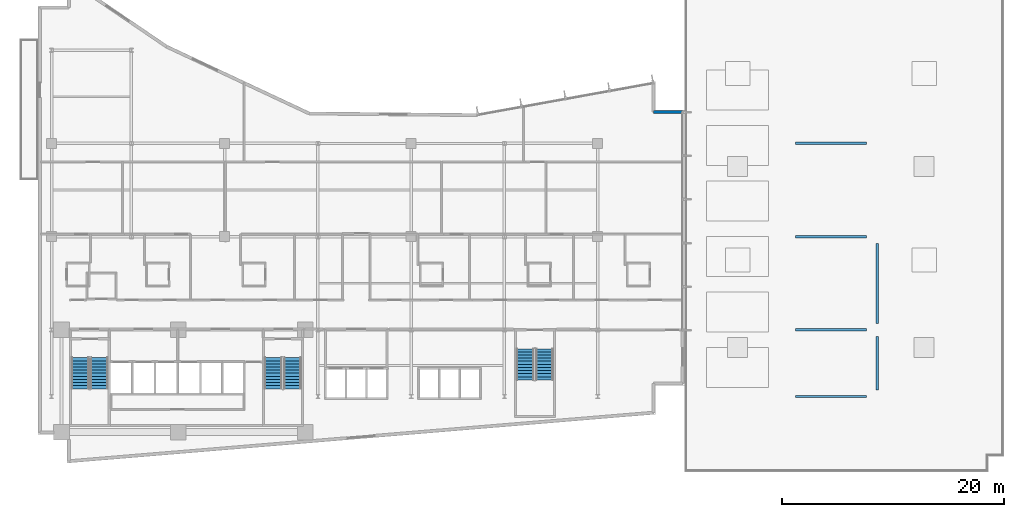
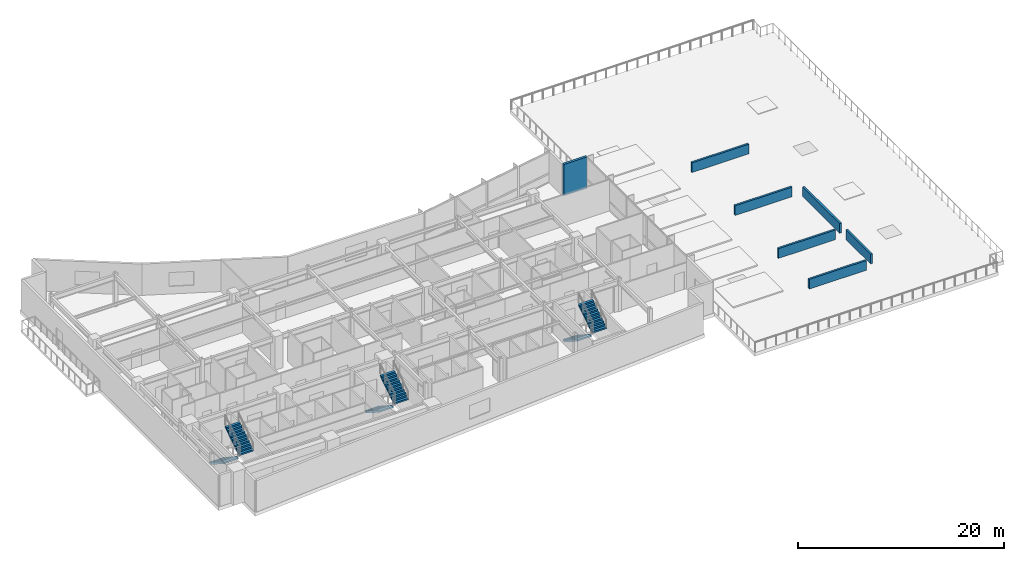
# One storey, part 14 of 20: 7 walls, 6 stair flights, 3 elements without a shape of their own.
"""IFC4 building model written with IfcOpenShell, lengths in metres."""

import ifcopenshell
import ifcopenshell.guid

model = None  # the IFC model being written
_history = None  # IfcOwnerHistory: only IFC2X3 demands one
_inside = {}  # id of a spatial element -> (the spatial element, [elements in it])
_under = {}  # id of a project, library or spatial element -> (it, [spatial elements below it])
_declared = {}  # id of a project -> (the project, [libraries it declares])
_typed = {}  # id of a type object -> (the type object, [elements of that type])
_made_of = {}  # id of a material, layer set ... -> (it, [elements and type objects made of it])


def new_model(schema):
    """Start an empty IFC model of exactly this schema.

    Asked for "IFC4X3", IfcOpenShell would pick the latest addendum, in which some entities
    have other attributes; the version numbers below select the first issue.
    IFC2X3 requires an IfcOwnerHistory on every rooted entity: one is made here for all.
    """
    global model, _history
    if schema == "IFC4X3":
        model = ifcopenshell.file(schema_version=(4, 3, 0, 0))
    else:
        model = ifcopenshell.file(schema=schema)
    _inside.clear()
    _under.clear()
    _declared.clear()
    _typed.clear()
    _made_of.clear()
    _history = None
    if model.schema == "IFC2X3":
        org = make("IfcOrganization", Name="unknown")
        user = make(
            "IfcPersonAndOrganization",
            ThePerson=make("IfcPerson", FamilyName="unknown"),
            TheOrganization=org,
        )
        app = make(
            "IfcApplication",
            ApplicationDeveloper=org,
            Version="unknown",
            ApplicationFullName="unknown",
            ApplicationIdentifier="unknown",
        )
        _history = make(
            "IfcOwnerHistory",
            OwningUser=user,
            OwningApplication=app,
            ChangeAction="ADDED",
            CreationDate=0,
        )
    return model


def make(cls, **values):
    """One entity of the class cls with the attributes given. An attribute that is None is left unset."""
    return model.create_entity(
        cls, **{name: value for name, value in values.items() if value is not None}
    )


def rooted(cls, **values):
    """An entity with a GlobalId (a new one), such as an element, a storey or a relation."""
    return make(cls, GlobalId=ifcopenshell.guid.new(), OwnerHistory=_history, **values)


def si_unit(unit_type, name, prefix=None):
    """IfcSIUnit, for example si_unit("LENGTHUNIT", "METRE", prefix="MILLI")."""
    return make("IfcSIUnit", UnitType=unit_type, Prefix=prefix, Name=name)


def assignment(units):
    """IfcUnitAssignment: the units of a project."""
    return None if units is None else make("IfcUnitAssignment", Units=units)


def point(xyz):
    """IfcCartesianPoint."""
    return None if xyz is None else make("IfcCartesianPoint", Coordinates=xyz)


def direction(xyz):
    """IfcDirection."""
    return None if xyz is None else make("IfcDirection", DirectionRatios=xyz)


def frame(location, z_axis=None, x_axis=None):
    """IfcAxis2Placement3D, a coordinate frame: its origin and axes. An axis left out is left unset."""
    return make(
        "IfcAxis2Placement3D",
        Location=point(location),
        Axis=direction(z_axis),
        RefDirection=direction(x_axis),
    )


def frame_2d(location, x_axis=None):
    """IfcAxis2Placement2D, a coordinate frame in the plane: its origin and x axis."""
    return make(
        "IfcAxis2Placement2D", Location=point(location), RefDirection=direction(x_axis)
    )


def origin():
    """The frame at (0, 0, 0) with its axes left unset."""
    return frame((0.0, 0.0, 0.0))


def place(relative_to, where):
    """IfcLocalPlacement: puts the frame where relative to a parent placement (None: the world)."""
    return make(
        "IfcLocalPlacement", PlacementRelTo=relative_to, RelativePlacement=where
    )


def context(
    kind, dimensions, precision=None, world=None, true_north=None, identifier=None
):
    """IfcGeometricRepresentationContext, for example the 3D "Model" context."""
    return make(
        "IfcGeometricRepresentationContext",
        ContextIdentifier=identifier,
        ContextType=kind,
        CoordinateSpaceDimension=dimensions,
        Precision=precision,
        WorldCoordinateSystem=world,
        TrueNorth=true_north,
    )


def subcontext(parent, identifier, kind, view, scale=None):
    """IfcGeometricRepresentationSubContext, for example "Body" below "Model"."""
    return make(
        "IfcGeometricRepresentationSubContext",
        ContextIdentifier=identifier,
        ContextType=kind,
        ParentContext=parent,
        TargetScale=scale,
        TargetView=view,
    )


def project(units=None, contexts=None):
    """IfcProject with its units and contexts."""
    return rooted(
        "IfcProject",
        Name="project",
        RepresentationContexts=contexts,
        UnitsInContext=assignment(units),
    )


def spatial(cls, under=None, at=None, **own):
    """A site, building, storey or space (cls), placed at a placement, below another one or the project."""
    s = rooted(cls, ObjectPlacement=at, **own)
    if under is not None:
        _under.setdefault(under.id(), (under, []))[1].append(s)
    return s


def polyline(points):
    """IfcPolyline through the points."""
    return make("IfcPolyline", Points=[point(p) for p in points])


def profile(cls, at=None, kind="AREA", **sizes):
    """A parametric profile (cls). Its sizes go by their IFC names, for example OverallWidth=200.0."""
    return make(cls, ProfileType=kind, Position=at, **sizes)


def rectangle(**sizes):
    """IfcRectangleProfileDef."""
    return profile("IfcRectangleProfileDef", **sizes)


def outline(outer, holes=None, kind="AREA"):
    """IfcArbitraryClosedProfileDef: a profile drawn as a closed curve; with holes, ...WithVoids."""
    if holes is None:
        return make("IfcArbitraryClosedProfileDef", ProfileType=kind, OuterCurve=outer)
    return make(
        "IfcArbitraryProfileDefWithVoids",
        ProfileType=kind,
        OuterCurve=outer,
        InnerCurves=holes,
    )


def extrude(swept, where, along, depth):
    """IfcExtrudedAreaSolid: the profile swept, set in the frame where, extruded along a direction by depth."""
    return make(
        "IfcExtrudedAreaSolid",
        SweptArea=swept,
        Position=where,
        ExtrudedDirection=direction(along),
        Depth=depth,
    )


def shape(context_of_items, identifier, shape_type, items):
    """IfcShapeRepresentation: the items that make up one representation, for example the "Body"."""
    return make(
        "IfcShapeRepresentation",
        ContextOfItems=context_of_items,
        RepresentationIdentifier=identifier,
        RepresentationType=shape_type,
        Items=items,
    )


def material(Name=None, Category=None):
    """IfcMaterial."""
    return make("IfcMaterial", Name=Name, Category=Category)


def layer(
    of_material, thickness, ventilated=None, Name=None, Category=None, Priority=None
):
    """IfcMaterialLayer: one layer of a wall or slab, of a material (None: an air gap)."""
    return make(
        "IfcMaterialLayer",
        Material=of_material,
        LayerThickness=thickness,
        IsVentilated=ventilated,
        Name=Name,
        Category=Category,
        Priority=Priority,
    )


def layer_set(layers, Name=None):
    """IfcMaterialLayerSet."""
    return make("IfcMaterialLayerSet", MaterialLayers=layers, LayerSetName=Name)


def made_of(thing, what):
    """Note that an element or type object is made of a material, layer set ...; save() writes the relation."""
    if what is not None:
        _made_of.setdefault(what.id(), (what, []))[1].append(thing)
    return thing


def type_object(cls, material=None, **own):
    """A type object (cls), such as IfcWallType, which elements share."""
    return made_of(rooted(cls, **own), material)


def element(
    cls,
    number,
    at=None,
    inside=None,
    cuts=None,
    type_object=None,
    material=None,
    context=None,
    identifier="Body",
    shape_type=None,
    held_by="IfcProductDefinitionShape",
    body=None,
    shapes=None,
    **own,
):
    """One element of the class cls, such as IfcWall. Its Tag is "e" and its number.

    at: its placement. inside: the storey or other place that contains it. cuts: it is an
    opening in that element (IfcRelVoidsElement). A single representation is given by context,
    identifier, shape_type and body (its items); several are given by shapes. held_by: the class
    of the entity that holds the representations. save() writes the other relations.
    """
    e = rooted(cls, Tag="e%d" % number, ObjectPlacement=at, **own)
    if body is not None:
        shapes = [shape(context, identifier, shape_type, body)]
    if shapes is not None:
        e.Representation = make(held_by, Representations=shapes)
    if inside is not None:
        _inside.setdefault(inside.id(), (inside, []))[1].append(e)
    if cuts is not None:
        rooted(
            "IfcRelVoidsElement", RelatingBuildingElement=cuts, RelatedOpeningElement=e
        )
    if type_object is not None:
        _typed.setdefault(type_object.id(), (type_object, []))[1].append(e)
    return made_of(e, material)


def aggregate(whole, parts):
    """IfcRelAggregates: a whole, such as a stair, and the parts it consists of."""
    return rooted("IfcRelAggregates", RelatingObject=whole, RelatedObjects=parts)


def save(model, path):
    """Write the relations noted so far, then the file.

    IfcRelAggregates (storeys below a building ...), IfcRelContainedInSpatialStructure (elements
    in a storey), IfcRelDefinesByType, IfcRelAssociatesMaterial and IfcRelDeclares: one each for
    every whole, place, type object, material and project.
    """
    for whole, parts in _under.values():
        aggregate(whole, parts)
    for where, things in _inside.values():
        rooted(
            "IfcRelContainedInSpatialStructure",
            RelatedElements=things,
            RelatingStructure=where,
        )
    for kind, things in _typed.values():
        rooted("IfcRelDefinesByType", RelatedObjects=things, RelatingType=kind)
    for what, things in _made_of.values():
        rooted("IfcRelAssociatesMaterial", RelatedObjects=things, RelatingMaterial=what)
    for by, libraries in _declared.values():
        rooted("IfcRelDeclares", RelatingContext=by, RelatedDefinitions=libraries)
    model.write(path)


model = new_model("IFC4")

# Units and contexts
model_context = context("Model", 3, precision=1e-05, world=origin(), true_north=direction((0.0, 1.0)))
body_context = subcontext(model_context, "Body", "Model", "MODEL_VIEW")
ifc_project = project(units=[si_unit("LENGTHUNIT", "METRE"), si_unit("AREAUNIT", "SQUARE_METRE"), si_unit("VOLUMEUNIT", "CUBIC_METRE"), si_unit("PLANEANGLEUNIT", "RADIAN"), si_unit("MASSUNIT", "GRAM", prefix="KILO")], contexts=[model_context])

# Site, building, storey
site_placement = place(None, origin())
site = spatial("IfcSite", under=ifc_project, at=site_placement, CompositionType="ELEMENT")
building_placement = place(site_placement, origin())
building = spatial("IfcBuilding", under=site, at=building_placement, Name="Varnakote Quay Hospital", CompositionType="ELEMENT")
storey_placement = place(building_placement, frame((0.0, 0.0, 22.5)))
storey = spatial("IfcBuildingStorey", under=building, at=storey_placement, Name="L05", CompositionType="ELEMENT", Elevation=22.5)

# Walls
ifc_material_1 = material(Name="Precast concrete N50 (f'c 50 MPa)", Category="concrete")
ifc_layer_1 = layer(ifc_material_1, 0.260009765625)
ifc_layer_set_1 = layer_set([ifc_layer_1], Name="Precast concrete N50 (f'c 50 MPa)")
wall_type_1 = type_object("IfcWallType", Name="WL-EXT-BRICK-260", PredefinedType="STANDARD", material=ifc_layer_set_1)
wall_1_placement = place(storey_placement, frame((58.0400390625, 31.639892578125, 0.0), z_axis=(0.0, 0.0, 1.0), x_axis=(-1.0, 0.0, 0.0)))
element("IfcWall", 1, at=wall_1_placement, inside=storey, type_object=wall_type_1, Name="L05 Brick-Faced Precast Exterior Wall", PredefinedType="STANDARD", context=body_context, shape_type="SweptSolid", body=[
    extrude(rectangle(XDim=2.60009765625, YDim=0.260009765625, at=frame_2d((1.300048828125, 0.0))), origin(), (0.0, 0.0, 1.0), 3.7099609375),
])
ifc_material_2 = material(Name="Precast concrete N50 (f'c 50 MPa)", Category="concrete")
ifc_layer_2 = layer(ifc_material_2, 0.219970703125)
ifc_layer_set_2 = layer_set([ifc_layer_2], Name="Precast concrete N50 (f'c 50 MPa)")
wall_type_2 = type_object("IfcWallType", Name="WL-PARAPET-220", PredefinedType="PARAPET", material=ifc_layer_set_2)
for number, where, z_axis, x_axis, name in (
    (2, (68.199951171875, 6.0, 0.0), (0.0, 0.0, 1.0), (1.0, 0.0, 0.0), "L05 Podium Setback Roof Parapet Upstand 1"),
    (3, (68.199951171875, 12.0, 0.0), (0.0, 0.0, 1.0), (1.0, 0.0, 0.0), "L05 Podium Setback Roof Parapet Upstand 2"),
    (4, (68.199951171875, 20.39990234375, 0.0), (0.0, 0.0, 1.0), (1.0, 0.0, 0.0), "L05 Podium Setback Roof Parapet Upstand 3"),
    (5, (68.199951171875, 28.800048828125, 0.0), (0.0, 0.0, 1.0), (1.0, 0.0, 0.0), "L05 Podium Setback Roof Parapet Upstand 4"),
):
    element("IfcWall", number, at=place(storey_placement, frame(where, z_axis=z_axis, x_axis=x_axis)), inside=storey, type_object=wall_type_2, Name=name, PredefinedType="PARAPET", context=body_context, shape_type="SweptSolid", body=[
        extrude(rectangle(XDim=6.400146484375, YDim=0.219970703125, at=frame_2d((3.2001953125, 0.0))), origin(), (0.0, 0.0, 1.0), 1.14990234375),
    ])
wall_2_placement = place(storey_placement, frame((75.60009765625, 6.60009765625, 0.0), z_axis=(0.0, 0.0, 1.0), x_axis=(0.0, 1.0, 0.0)))
element("IfcWall", 6, at=wall_2_placement, inside=storey, type_object=wall_type_2, Name="L05 Podium Setback Roof Parapet Upstand 5", PredefinedType="PARAPET", context=body_context, shape_type="SweptSolid", body=[
    extrude(rectangle(XDim=4.7998046875, YDim=0.219970703125, at=frame_2d((2.39990234375, 0.0))), origin(), (0.0, 0.0, 1.0), 1.14990234375),
])
wall_3_placement = place(storey_placement, frame((75.60009765625, 12.60009765625, 0.0), z_axis=(0.0, 0.0, 1.0), x_axis=(0.0, 1.0, 0.0)))
element("IfcWall", 7, at=wall_3_placement, inside=storey, type_object=wall_type_2, Name="L05 Podium Setback Roof Parapet Upstand 6", PredefinedType="PARAPET", context=body_context, shape_type="SweptSolid", body=[
    extrude(rectangle(XDim=7.199951171875, YDim=0.219970703125, at=frame_2d((3.60009765625, 0.0))), origin(), (0.0, 0.0, 1.0), 1.14990234375),
])

# Stair, stair flights
ifc_material_3 = material(Name="Concrete N40 (f'c 40 MPa)", Category="concrete")
stair_type = type_object("IfcStairType", Name="STR-CORE-1580", PredefinedType="HALF_TURN_STAIR", material=ifc_material_3)
stair_1_placement = place(storey_placement, origin())
stair_1 = element("IfcStair", 8, at=stair_1_placement, inside=storey, type_object=stair_type, Name="L05 Fire-Isolated Exit Stair ST-01", PredefinedType="HALF_TURN_STAIR")
ifc_material_4 = material(Name="Concrete N40 (f'c 40 MPa)", Category="concrete")
ifc_layer_3 = layer(ifc_material_4, 0.159912109375)
ifc_layer_set_3 = layer_set([ifc_layer_3], Name="Concrete N40 (f'c 40 MPa)")
stair_flight_type = type_object("IfcStairFlightType", Name="FLT-CORE-1580", PredefinedType="STRAIGHT", material=ifc_layer_set_3)
stair_flight_1_placement = place(storey_placement, frame((3.7900390625, 9.5, 0.0), z_axis=(0.0, 0.0, 1.0), x_axis=(0.0, -1.0, 0.0)))
stair_flight_1 = element("IfcStairFlight", 9, at=stair_flight_1_placement, type_object=stair_flight_type, Name="ST-01 flight 1", NumberOfRisers=11, NumberOfTreads=10, PredefinedType="STRAIGHT", RiserHeight=0.179545455, TreadLength=0.28, context=body_context, shape_type="SweptSolid", body=[
    extrude(outline(polyline([(0.0, 0.0), (0.0, 0.179443359375), (0.280029296875, 0.179443359375), (0.280029296875, 0.359130859375), (0.56005859375, 0.359130859375), (0.56005859375, 0.53857421875), (0.840087890625, 0.53857421875), (0.840087890625, 0.71826171875), (1.1201171875, 0.71826171875), (1.1201171875, 0.897705078125), (1.39990234375, 0.897705078125), (1.39990234375, 1.077392578125), (1.679931640625, 1.077392578125), (1.679931640625, 1.2568359375), (1.9599609375, 1.2568359375), (1.9599609375, 1.436279296875), (2.239990234375, 1.436279296875), (2.239990234375, 1.615966796875), (2.52001953125, 1.615966796875), (2.52001953125, 1.79541015625), (2.800048828125, 1.79541015625), (2.800048828125, 1.97509765625), (2.800048828125, 1.60546875), (0.296142578125, 0.0), (0.0, 0.0)])), frame((0.0, 0.7900390625, 0.0), z_axis=(0.0, -1.0, 0.0), x_axis=(1.0, 0.0, 0.0)), (0.0, 0.0, 1.0), 1.580078125),
])
stair_flight_2_placement = place(storey_placement, frame((5.510009765625, 6.699951171875, 1.97509765625), z_axis=(0.0, 0.0, 1.0), x_axis=(0.0, 1.0, 0.0)))
stair_flight_2 = element("IfcStairFlight", 10, at=stair_flight_2_placement, type_object=stair_flight_type, Name="ST-01 flight 2", NumberOfRisers=11, NumberOfTreads=10, PredefinedType="STRAIGHT", RiserHeight=0.179545455, TreadLength=0.28, context=body_context, shape_type="SweptSolid", body=[
    extrude(outline(polyline([(0.0, 0.0), (0.0, 0.179443359375), (0.280029296875, 0.179443359375), (0.280029296875, 0.359130859375), (0.56005859375, 0.359130859375), (0.56005859375, 0.53857421875), (0.840087890625, 0.53857421875), (0.840087890625, 0.71826171875), (1.1201171875, 0.71826171875), (1.1201171875, 0.897705078125), (1.39990234375, 0.897705078125), (1.39990234375, 1.077392578125), (1.679931640625, 1.077392578125), (1.679931640625, 1.2568359375), (1.9599609375, 1.2568359375), (1.9599609375, 1.436279296875), (2.239990234375, 1.436279296875), (2.239990234375, 1.615966796875), (2.52001953125, 1.615966796875), (2.52001953125, 1.79541015625), (2.800048828125, 1.79541015625), (2.800048828125, 1.97509765625), (2.800048828125, 1.60546875), (0.296142578125, 0.0), (0.0, 0.0)])), frame((0.0, 0.7900390625, 0.0), z_axis=(0.0, -1.0, 0.0), x_axis=(1.0, 0.0, 0.0)), (0.0, 0.0, 1.0), 1.580078125),
])
aggregate(stair_1, [stair_flight_1, stair_flight_2])

stair_2_placement = place(storey_placement, origin())
stair_2 = element("IfcStair", 11, at=stair_2_placement, inside=storey, type_object=stair_type, Name="L05 Fire-Isolated Exit Stair ST-02", PredefinedType="HALF_TURN_STAIR")
stair_flight_3_placement = place(storey_placement, frame((21.18994140625, 9.5, 0.0), z_axis=(0.0, 0.0, 1.0), x_axis=(0.0, -1.0, 0.0)))
stair_flight_3 = element("IfcStairFlight", 12, at=stair_flight_3_placement, type_object=stair_flight_type, Name="ST-02 flight 1", NumberOfRisers=11, NumberOfTreads=10, PredefinedType="STRAIGHT", RiserHeight=0.179545455, TreadLength=0.28, context=body_context, shape_type="SweptSolid", body=[
    extrude(outline(polyline([(0.0, 0.0), (0.0, 0.179443359375), (0.280029296875, 0.179443359375), (0.280029296875, 0.359130859375), (0.56005859375, 0.359130859375), (0.56005859375, 0.53857421875), (0.840087890625, 0.53857421875), (0.840087890625, 0.71826171875), (1.1201171875, 0.71826171875), (1.1201171875, 0.897705078125), (1.39990234375, 0.897705078125), (1.39990234375, 1.077392578125), (1.679931640625, 1.077392578125), (1.679931640625, 1.2568359375), (1.9599609375, 1.2568359375), (1.9599609375, 1.436279296875), (2.239990234375, 1.436279296875), (2.239990234375, 1.615966796875), (2.52001953125, 1.615966796875), (2.52001953125, 1.79541015625), (2.800048828125, 1.79541015625), (2.800048828125, 1.97509765625), (2.800048828125, 1.60546875), (0.296142578125, 0.0), (0.0, 0.0)])), frame((0.0, 0.7900390625, 0.0), z_axis=(0.0, -1.0, 0.0), x_axis=(1.0, 0.0, 0.0)), (0.0, 0.0, 1.0), 1.580078125),
])
stair_flight_4_placement = place(storey_placement, frame((22.909912109375, 6.699951171875, 1.97509765625), z_axis=(0.0, 0.0, 1.0), x_axis=(0.0, 1.0, 0.0)))
stair_flight_4 = element("IfcStairFlight", 13, at=stair_flight_4_placement, type_object=stair_flight_type, Name="ST-02 flight 2", NumberOfRisers=11, NumberOfTreads=10, PredefinedType="STRAIGHT", RiserHeight=0.179545455, TreadLength=0.28, context=body_context, shape_type="SweptSolid", body=[
    extrude(outline(polyline([(0.0, 0.0), (0.0, 0.179443359375), (0.280029296875, 0.179443359375), (0.280029296875, 0.359130859375), (0.56005859375, 0.359130859375), (0.56005859375, 0.53857421875), (0.840087890625, 0.53857421875), (0.840087890625, 0.71826171875), (1.1201171875, 0.71826171875), (1.1201171875, 0.897705078125), (1.39990234375, 0.897705078125), (1.39990234375, 1.077392578125), (1.679931640625, 1.077392578125), (1.679931640625, 1.2568359375), (1.9599609375, 1.2568359375), (1.9599609375, 1.436279296875), (2.239990234375, 1.436279296875), (2.239990234375, 1.615966796875), (2.52001953125, 1.615966796875), (2.52001953125, 1.79541015625), (2.800048828125, 1.79541015625), (2.800048828125, 1.97509765625), (2.800048828125, 1.60546875), (0.296142578125, 0.0), (0.0, 0.0)])), frame((0.0, 0.7900390625, 0.0), z_axis=(0.0, -1.0, 0.0), x_axis=(1.0, 0.0, 0.0)), (0.0, 0.0, 1.0), 1.580078125),
])
aggregate(stair_2, [stair_flight_3, stair_flight_4])

stair_3_placement = place(storey_placement, origin())
stair_3 = element("IfcStair", 14, at=stair_3_placement, inside=storey, type_object=stair_type, Name="L05 Fire-Isolated Exit Stair ST-03", PredefinedType="HALF_TURN_STAIR")
stair_flight_5_placement = place(storey_placement, frame((43.889892578125, 10.300048828125, 0.0), z_axis=(0.0, 0.0, 1.0), x_axis=(0.0, -1.0, 0.0)))
stair_flight_5 = element("IfcStairFlight", 15, at=stair_flight_5_placement, type_object=stair_flight_type, Name="ST-03 flight 1", NumberOfRisers=11, NumberOfTreads=10, PredefinedType="STRAIGHT", RiserHeight=0.179545455, TreadLength=0.28, context=body_context, shape_type="SweptSolid", body=[
    extrude(outline(polyline([(0.0, 0.0), (0.0, 0.179443359375), (0.280029296875, 0.179443359375), (0.280029296875, 0.359130859375), (0.56005859375, 0.359130859375), (0.56005859375, 0.53857421875), (0.840087890625, 0.53857421875), (0.840087890625, 0.71826171875), (1.1201171875, 0.71826171875), (1.1201171875, 0.897705078125), (1.39990234375, 0.897705078125), (1.39990234375, 1.077392578125), (1.679931640625, 1.077392578125), (1.679931640625, 1.2568359375), (1.9599609375, 1.2568359375), (1.9599609375, 1.436279296875), (2.239990234375, 1.436279296875), (2.239990234375, 1.615966796875), (2.52001953125, 1.615966796875), (2.52001953125, 1.79541015625), (2.800048828125, 1.79541015625), (2.800048828125, 1.97509765625), (2.800048828125, 1.60546875), (0.296142578125, 0.0), (0.0, 0.0)])), frame((0.0, 0.7900390625, 0.0), z_axis=(0.0, -1.0, 0.0), x_axis=(1.0, 0.0, 0.0)), (0.0, 0.0, 1.0), 1.580078125),
])
stair_flight_6_placement = place(storey_placement, frame((45.610107421875, 7.5, 1.97509765625), z_axis=(0.0, 0.0, 1.0), x_axis=(0.0, 1.0, 0.0)))
stair_flight_6 = element("IfcStairFlight", 16, at=stair_flight_6_placement, type_object=stair_flight_type, Name="ST-03 flight 2", NumberOfRisers=11, NumberOfTreads=10, PredefinedType="STRAIGHT", RiserHeight=0.179545455, TreadLength=0.28, context=body_context, shape_type="SweptSolid", body=[
    extrude(outline(polyline([(0.0, 0.0), (0.0, 0.179443359375), (0.280029296875, 0.179443359375), (0.280029296875, 0.359130859375), (0.56005859375, 0.359130859375), (0.56005859375, 0.53857421875), (0.840087890625, 0.53857421875), (0.840087890625, 0.71826171875), (1.1201171875, 0.71826171875), (1.1201171875, 0.897705078125), (1.39990234375, 0.897705078125), (1.39990234375, 1.077392578125), (1.679931640625, 1.077392578125), (1.679931640625, 1.2568359375), (1.9599609375, 1.2568359375), (1.9599609375, 1.436279296875), (2.239990234375, 1.436279296875), (2.239990234375, 1.615966796875), (2.52001953125, 1.615966796875), (2.52001953125, 1.79541015625), (2.800048828125, 1.79541015625), (2.800048828125, 1.97509765625), (2.800048828125, 1.60546875), (0.296142578125, 0.0), (0.0, 0.0)])), frame((0.0, 0.7900390625, 0.0), z_axis=(0.0, -1.0, 0.0), x_axis=(1.0, 0.0, 0.0)), (0.0, 0.0, 1.0), 1.580078125),
])
aggregate(stair_3, [stair_flight_5, stair_flight_6])

save(model, "model.ifc")
